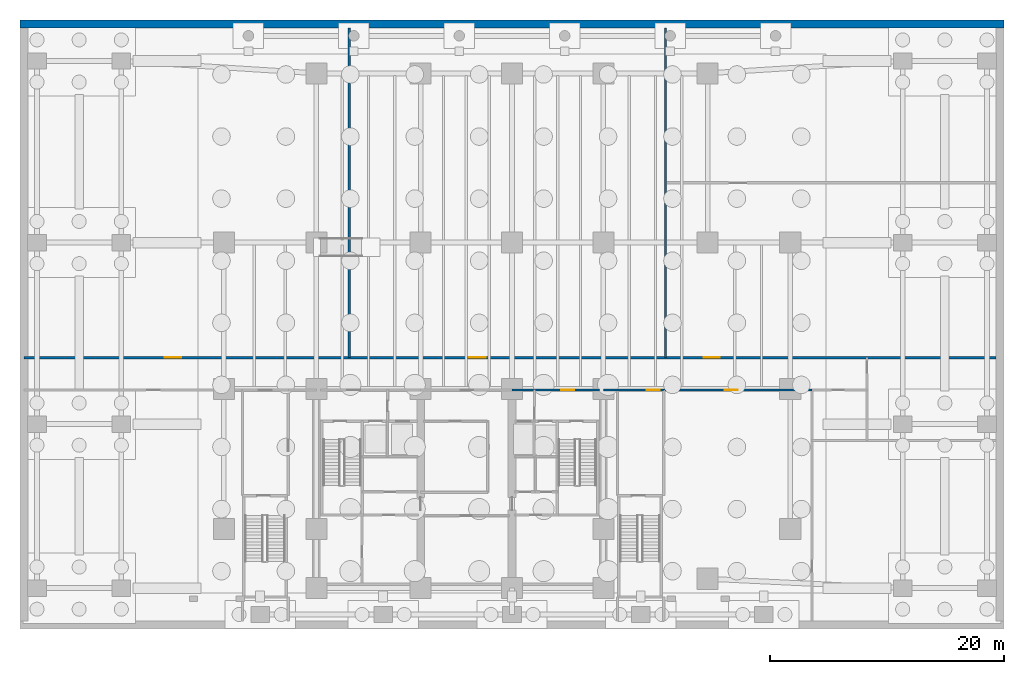
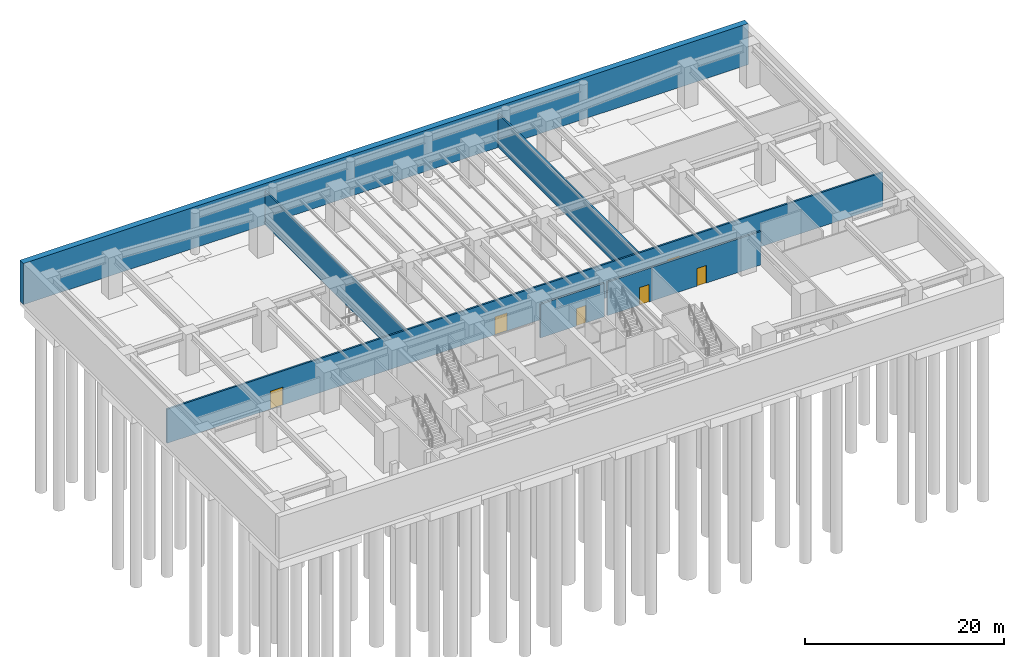
# One storey, part 8 of 12: 7 walls, 6 doors, 6 openings.
"""IFC4 building model written with IfcOpenShell, lengths in metres."""

from ifc_helpers import new_model, si_unit, direction, frame, frame_2d, origin, place, context, subcontext, project, spatial, rectangle, extrude, material, layer, layer_set, type_object, element, fill, save


model = new_model("IFC4")

# Units and contexts
model_context = context("Model", 3, precision=1e-05, world=origin(), true_north=direction((0.0, 1.0)))
body_context = subcontext(model_context, "Body", "Model", "MODEL_VIEW")
ifc_project = project(units=[si_unit("LENGTHUNIT", "METRE"), si_unit("AREAUNIT", "SQUARE_METRE"), si_unit("VOLUMEUNIT", "CUBIC_METRE"), si_unit("PLANEANGLEUNIT", "RADIAN"), si_unit("MASSUNIT", "GRAM", prefix="KILO")], contexts=[model_context])

# Site, building, storey
site_placement = place(None, origin())
site = spatial("IfcSite", under=ifc_project, at=site_placement, CompositionType="ELEMENT")
building_placement = place(site_placement, origin())
building = spatial("IfcBuilding", under=site, at=building_placement, Name="Qalmaran Belvedere Hotel", CompositionType="ELEMENT")
storey_placement = place(building_placement, frame((0.0, 0.0, -5.39990234375)))
storey = spatial("IfcBuildingStorey", under=building, at=storey_placement, Name="B01", CompositionType="ELEMENT", Elevation=-5.39990234375)

# Wall, opening, door
ifc_material_1 = material(Name="Concrete C30/37 Blockwork", Category="masonry")
ifc_layer_1 = layer(ifc_material_1, 0.199951171875, Name="Concrete C30/37 Blockwork")
ifc_layer_set_1 = layer_set([ifc_layer_1], Name="Concrete C30/37 Blockwork")
wall_type_1 = type_object("IfcWallType", Name="WL-INT-200-EI120", PredefinedType="PARTITIONING", material=ifc_layer_set_1)
wall_1_placement = place(storey_placement, frame((37.0, 20.419921875, 0.0), z_axis=(0.0, 0.0, 1.0), x_axis=(1.0, 0.0, 0.0)))
wall_1 = element("IfcWall", 1, at=wall_1_placement, inside=storey, type_object=wall_type_1, Name="B01 Partition WL-CN3-B01", PredefinedType="PARTITIONING", context=body_context, shape_type="SweptSolid", body=[
    extrude(rectangle(XDim=7.449951171875, YDim=0.199951171875, at=frame_2d((3.72509765625, 0.0))), origin(), (0.0, 0.0, 1.0), 4.114013671875),
])
opening_1_placement = place(wall_1_placement, frame((4.199951171875, 0.0, 0.0)))
opening_1 = element("IfcOpeningElement", 2, at=opening_1_placement, cuts=wall_1, Name="Opening FD90", PredefinedType="OPENING", context=body_context, shape_type="SweptSolid", body=[
    extrude(rectangle(XDim=1.10009765625, YDim=2.14990234375, at=frame_2d((0.550048828125, 1.074951171875))), frame((0.0, 0.10986328125, 0.0), z_axis=(0.0, -1.0, 0.0), x_axis=(1.0, 0.0, 0.0)), (0.0, 0.0, 1.0), 0.219970703125),
])
ifc_material_2 = material(Name="Steel S355JR", Category="steel")
door_type_1 = type_object("IfcDoorType", Name="DR-FD90-1100X2150", OperationType="NOTDEFINED", PredefinedType="DOOR", material=ifc_material_2)
door_1_placement = place(opening_1_placement, origin())
door_1 = element("IfcDoor", 3, at=door_1_placement, inside=storey, type_object=door_type_1, Name="B01 FF2 Lobby Corridor Door", OperationType="SINGLE_SWING_LEFT", OverallHeight=2.14990234375, OverallWidth=1.10009765625, PredefinedType="DOOR", context=body_context, shape_type="SweptSolid", body=[
    extrude(rectangle(XDim=1.10009765625, YDim=2.14990234375, at=frame_2d((0.550048828125, 1.074951171875))), frame((0.0, 0.02490234375, 0.0), z_axis=(0.0, -1.0, 0.0), x_axis=(1.0, 0.0, 0.0)), (0.0, 0.0, 1.0), 0.050048828125),
])
fill(opening_1, door_1)

# Wall, openings, doors
wall_2_placement = place(storey_placement, frame((-4.64990234375, 23.179931640625, 0.0), z_axis=(0.0, 0.0, 1.0), x_axis=(1.0, 0.0, 0.0)))
wall_2 = element("IfcWall", 4, at=wall_2_placement, inside=storey, type_object=wall_type_1, Name="B01 Partition WL-B01-CN", PredefinedType="PARTITIONING", context=body_context, shape_type="SweptSolid", body=[
    extrude(rectangle(XDim=82.949951171875, YDim=0.199951171875, at=frame_2d((41.47509765625, 0.0))), origin(), (0.0, 0.0, 1.0), 4.179931640625),
])
opening_2_placement = place(wall_2_placement, frame((12.0, 0.0, 0.0)))
opening_2 = element("IfcOpeningElement", 5, at=opening_2_placement, cuts=wall_2, Name="Opening FD90D", PredefinedType="OPENING", context=body_context, shape_type="SweptSolid", body=[
    extrude(rectangle(XDim=1.39990234375, YDim=2.199951171875, at=frame_2d((0.699951171875, 1.10009765625))), frame((0.0, 0.10986328125, 0.0), z_axis=(0.0, -1.0, 0.0), x_axis=(1.0, 0.0, 0.0)), (0.0, 0.0, 1.0), 0.219970703125),
])
opening_3_placement = place(wall_2_placement, frame((38.0, 0.0, 0.0)))
opening_3 = element("IfcOpeningElement", 6, at=opening_3_placement, cuts=wall_2, Name="Opening FD90D", PredefinedType="OPENING", context=body_context, shape_type="SweptSolid", body=[
    extrude(rectangle(XDim=1.39990234375, YDim=2.199951171875, at=frame_2d((0.699951171875, 1.10009765625))), frame((0.0, 0.10986328125, 0.0), z_axis=(0.0, -1.0, 0.0), x_axis=(1.0, 0.0, 0.0)), (0.0, 0.0, 1.0), 0.219970703125),
])
opening_4_placement = place(wall_2_placement, frame((58.0, 0.0, 0.0)))
opening_4 = element("IfcOpeningElement", 7, at=opening_4_placement, cuts=wall_2, Name="Opening FD90D", PredefinedType="OPENING", context=body_context, shape_type="SweptSolid", body=[
    extrude(rectangle(XDim=1.39990234375, YDim=2.199951171875, at=frame_2d((0.699951171875, 1.10009765625))), frame((0.0, 0.10986328125, 0.0), z_axis=(0.0, -1.0, 0.0), x_axis=(1.0, 0.0, 0.0)), (0.0, 0.0, 1.0), 0.219970703125),
])
door_type_2 = type_object("IfcDoorType", Name="DR-FD90D-1400X2200", OperationType="NOTDEFINED", PredefinedType="DOOR", material=ifc_material_2)
door_2_placement = place(opening_2_placement, origin())
door_2 = element("IfcDoor", 8, at=door_2_placement, inside=storey, type_object=door_type_2, Name="B01 Chiller Plant Door", OperationType="DOUBLE_DOOR_SINGLE_SWING", OverallHeight=2.199951171875, OverallWidth=1.39990234375, PredefinedType="DOOR", context=body_context, shape_type="SweptSolid", body=[
    extrude(rectangle(XDim=1.39990234375, YDim=2.199951171875, at=frame_2d((0.699951171875, 1.10009765625))), frame((0.0, 0.02490234375, 0.0), z_axis=(0.0, -1.0, 0.0), x_axis=(1.0, 0.0, 0.0)), (0.0, 0.0, 1.0), 0.050048828125),
])
fill(opening_2, door_2)
door_3_placement = place(opening_3_placement, origin())
door_3 = element("IfcDoor", 9, at=door_3_placement, inside=storey, type_object=door_type_2, Name="B01 Water Tank Door", OperationType="DOUBLE_DOOR_SINGLE_SWING", OverallHeight=2.199951171875, OverallWidth=1.39990234375, PredefinedType="DOOR", context=body_context, shape_type="SweptSolid", body=[
    extrude(rectangle(XDim=1.39990234375, YDim=2.199951171875, at=frame_2d((0.699951171875, 1.10009765625))), frame((0.0, 0.02490234375, 0.0), z_axis=(0.0, -1.0, 0.0), x_axis=(1.0, 0.0, 0.0)), (0.0, 0.0, 1.0), 0.050048828125),
])
fill(opening_3, door_3)
door_4_placement = place(opening_4_placement, origin())
door_4 = element("IfcDoor", 10, at=door_4_placement, inside=storey, type_object=door_type_2, Name="B01 MV Substation Door", OperationType="DOUBLE_DOOR_SINGLE_SWING", OverallHeight=2.199951171875, OverallWidth=1.39990234375, PredefinedType="DOOR", context=body_context, shape_type="SweptSolid", body=[
    extrude(rectangle(XDim=1.39990234375, YDim=2.199951171875, at=frame_2d((0.699951171875, 1.10009765625))), frame((0.0, 0.02490234375, 0.0), z_axis=(0.0, -1.0, 0.0), x_axis=(1.0, 0.0, 0.0)), (0.0, 0.0, 1.0), 0.050048828125),
])
fill(opening_4, door_4)

# Wall, opening, door
wall_3_placement = place(storey_placement, frame((44.800048828125, 20.419921875, 0.0), z_axis=(0.0, 0.0, 1.0), x_axis=(1.0, 0.0, 0.0)))
wall_3 = element("IfcWall", 11, at=wall_3_placement, inside=storey, type_object=wall_type_1, Name="B01 Partition WL-B01-CE1", PredefinedType="PARTITIONING", context=body_context, shape_type="SweptSolid", body=[
    extrude(rectangle(XDim=5.14990234375, YDim=0.199951171875, at=frame_2d((2.574951171875, 0.0))), origin(), (0.0, 0.0, 1.0), 4.114013671875),
])
opening_5_placement = place(wall_3_placement, frame((4.8134765625, 0.0, 0.0), z_axis=(0.0, 0.0, 1.0), x_axis=(-1.0, 0.0, 0.0)))
opening_5 = element("IfcOpeningElement", 12, at=opening_5_placement, cuts=wall_3, Name="Opening FD90", PredefinedType="OPENING", context=body_context, shape_type="SweptSolid", body=[
    extrude(rectangle(XDim=1.10009765625, YDim=2.14990234375, at=frame_2d((0.550048828125, 1.074951171875))), frame((0.0, 0.10986328125, 0.0), z_axis=(0.0, -1.0, 0.0), x_axis=(1.0, 0.0, 0.0)), (0.0, 0.0, 1.0), 0.219970703125),
])
door_5_placement = place(opening_5_placement, origin())
door_5 = element("IfcDoor", 13, at=door_5_placement, inside=storey, type_object=door_type_1, Name="B01 East Stair Lobby Door", OperationType="SINGLE_SWING_RIGHT", OverallHeight=2.14990234375, OverallWidth=1.10009765625, PredefinedType="DOOR", context=body_context, shape_type="SweptSolid", body=[
    extrude(rectangle(XDim=1.10009765625, YDim=2.14990234375, at=frame_2d((0.550048828125, 1.074951171875))), frame((0.0, 0.02490234375, 0.0), z_axis=(0.0, -1.0, 0.0), x_axis=(1.0, 0.0, 0.0)), (0.0, 0.0, 1.0), 0.050048828125),
])
fill(opening_5, door_5)

wall_4_placement = place(storey_placement, frame((49.949951171875, 20.419921875, 0.0), z_axis=(0.0, 0.0, 1.0), x_axis=(1.0, 0.0, 0.0)))
wall_4 = element("IfcWall", 14, at=wall_4_placement, inside=storey, type_object=wall_type_1, Name="B01 Partition WL-B01-CE2", PredefinedType="PARTITIONING", context=body_context, shape_type="SweptSolid", body=[
    extrude(rectangle(XDim=12.650146484375, YDim=0.199951171875, at=frame_2d((6.3251953125, 0.0))), origin(), (0.0, 0.0, 1.0), 4.114013671875),
])
opening_6_placement = place(wall_4_placement, frame((6.300048828125, 0.0, 0.0), z_axis=(0.0, 0.0, 1.0), x_axis=(-1.0, 0.0, 0.0)))
opening_6 = element("IfcOpeningElement", 15, at=opening_6_placement, cuts=wall_4, Name="Opening FD90", PredefinedType="OPENING", context=body_context, shape_type="SweptSolid", body=[
    extrude(rectangle(XDim=1.10009765625, YDim=2.14990234375, at=frame_2d((0.550048828125, 1.074951171875))), frame((0.0, 0.10986328125, 0.0), z_axis=(0.0, -1.0, 0.0), x_axis=(1.0, 0.0, 0.0)), (0.0, 0.0, 1.0), 0.219970703125),
])
door_6_placement = place(opening_6_placement, origin())
door_6 = element("IfcDoor", 16, at=door_6_placement, inside=storey, type_object=door_type_1, Name="B01 Catering Store Door", OperationType="SINGLE_SWING_LEFT", OverallHeight=2.14990234375, OverallWidth=1.10009765625, PredefinedType="DOOR", context=body_context, shape_type="SweptSolid", body=[
    extrude(rectangle(XDim=1.10009765625, YDim=2.14990234375, at=frame_2d((0.550048828125, 1.074951171875))), frame((0.0, 0.02490234375, 0.0), z_axis=(0.0, -1.0, 0.0), x_axis=(1.0, 0.0, 0.0)), (0.0, 0.0, 1.0), 0.050048828125),
])
fill(opening_6, door_6)

# Walls
for number, where, z_axis, x_axis, name in (
    (17, (23.10009765625, 23.179931640625, 0.0), (0.0, 0.0, 1.0), (0.0, 1.0, 0.0), "B01 Partition WL-B01-P1"),
    (18, (50.10009765625, 23.179931640625, 0.0), (0.0, 0.0, 1.0), (0.0, 1.0, 0.0), "B01 Partition WL-B01-P2"),
):
    element("IfcWall", number, at=place(storey_placement, frame(where, z_axis=z_axis, x_axis=x_axis)), inside=storey, type_object=wall_type_1, Name=name, PredefinedType="PARTITIONING", context=body_context, shape_type="SweptSolid", body=[
        extrude(rectangle(XDim=28.1201171875, YDim=0.199951171875, at=frame_2d((14.06005859375, 0.0))), origin(), (0.0, 0.0, 1.0), 4.114013671875),
    ])
ifc_material_3 = material(Name="Concrete C60/75", Category="concrete")
ifc_layer_2 = layer(ifc_material_3, 0.699951171875, Name="Concrete C60/75")
ifc_layer_set_2 = layer_set([ifc_layer_2], Name="Concrete C60/75")
wall_type_2 = type_object("IfcWallType", Name="WL-RET-700-C60", PredefinedType="SOLIDWALL", material=ifc_layer_set_2)
wall_5_placement = place(storey_placement, frame((-5.0, 51.64990234375, 0.0), z_axis=(0.0, 0.0, 1.0), x_axis=(1.0, 0.0, 0.0)))
element("IfcWall", 19, at=wall_5_placement, inside=storey, type_object=wall_type_2, Name="B01 Perimeter Retaining Wall N", PredefinedType="SOLIDWALL", context=body_context, shape_type="SweptSolid", body=[
    extrude(rectangle(XDim=84.0, YDim=0.699951171875, at=frame_2d((42.0, 0.0))), origin(), (0.0, 0.0, 1.0), 5.0498046875),
])

save(model, "model.ifc")
